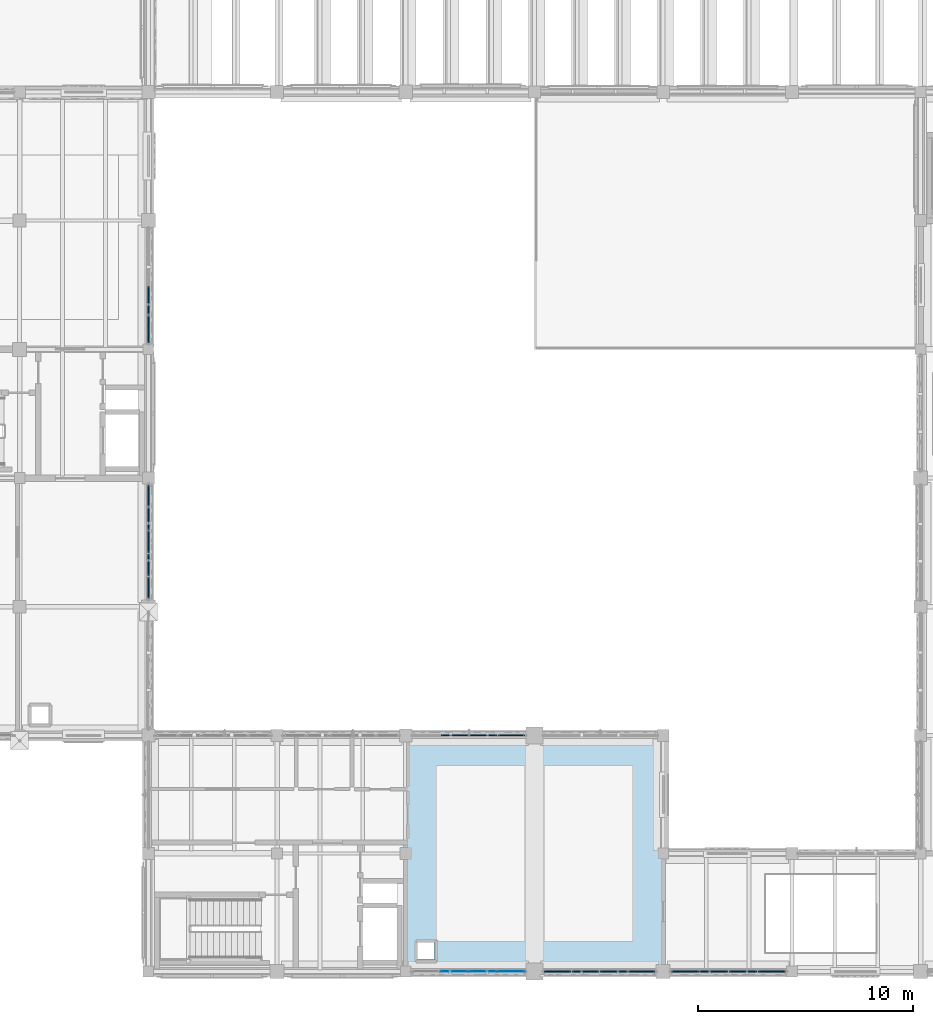
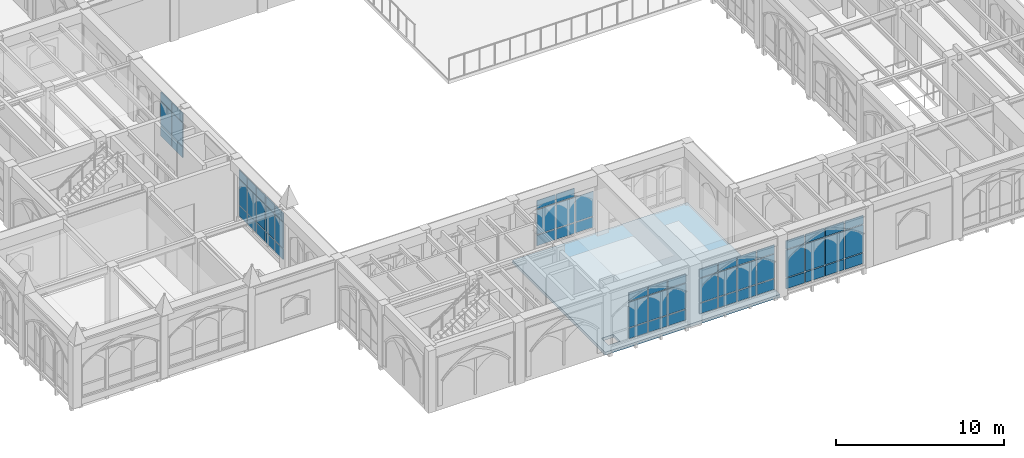
# One storey, part 65 of 127: 62 plates, 1 slab, 6 elements without a shape of their own.
"""IFC4 building model written with IfcOpenShell, lengths in metres."""

from ifc_helpers import new_model, si_unit, direction, frame, origin, origin_2d, place, context, subcontext, project, spatial, polyline, rectangle, outline, extrude, material, layer, layer_set, type_object, element, aggregate, save


model = new_model("IFC4")

# Units and contexts
model_context = context("Model", 3, precision=1e-05, world=origin(), true_north=direction((0.0, 1.0)))
body_context = subcontext(model_context, "Body", "Model", "MODEL_VIEW")
ifc_project = project(units=[si_unit("LENGTHUNIT", "METRE"), si_unit("AREAUNIT", "SQUARE_METRE"), si_unit("VOLUMEUNIT", "CUBIC_METRE"), si_unit("PLANEANGLEUNIT", "RADIAN"), si_unit("MASSUNIT", "GRAM", prefix="KILO")], contexts=[model_context])

# Site, building, storey
site_placement = place(None, origin())
site = spatial("IfcSite", under=ifc_project, at=site_placement, CompositionType="ELEMENT")
building_placement = place(site_placement, origin())
building = spatial("IfcBuilding", under=site, at=building_placement, Name="Cumevento Cable Car Station", CompositionType="ELEMENT")
storey_placement = place(building_placement, frame((0.0, 0.0, 4.5)))
storey = spatial("IfcBuildingStorey", under=building, at=storey_placement, Name="L02", CompositionType="ELEMENT", Elevation=4.5)

# Slab
ifc_material_1 = material(Name="Concrete C40/50", Category="concrete")
ifc_layer_1 = layer(ifc_material_1, 0.2119140625)
ifc_layer_set_1 = layer_set([ifc_layer_1], Name="Concrete C40/50")
slab_type = type_object("IfcSlabType", Name="Concrete Deck FS-212 212", PredefinedType="FLOOR", material=ifc_layer_set_1)
slab_placement = place(storey_placement, frame((0.0, 0.0, -0.2119140625)))
element("IfcSlab", 1, at=slab_placement, inside=storey, type_object=slab_type, Name="Floor Slab FS-212 L02 B_V1a.2", PredefinedType="FLOOR", context=body_context, shape_type="SweptSolid", body=[
    extrude(outline(polyline([(34.0, 4.0), (46.0, 4.0), (46.0, 15.0), (34.0, 15.0), (34.0, 4.0)]), holes=[polyline([(34.550048828125, 4.550048828125), (35.35009765625, 4.550048828125), (35.35009765625, 5.35009765625), (34.550048828125, 5.35009765625), (34.550048828125, 4.550048828125)])]), origin(), (0.0, 0.0, 1.0), 0.2119140625),
])

# Curtain wall, plates
ifc_material_2 = material(Name="Anodised Bronze Aluminium AW-6063-T6", Category="aluminium")
ifc_layer_2 = layer(ifc_material_2, 0.18408203125)
ifc_layer_set_2 = layer_set([ifc_layer_2], Name="Anodised Bronze Aluminium AW-6063-T6")
curtain_wall_type_1 = type_object("IfcCurtainWallType", Name="Lancet Curtain Wall CW-05 1210", PredefinedType="NOTDEFINED", material=ifc_layer_set_2)
curtain_wall_1_placement = place(storey_placement, origin())
curtain_wall_1 = element("IfcCurtainWall", 2, at=curtain_wall_1_placement, inside=storey, type_object=curtain_wall_type_1, Name="Lancet Curtain Wall CW-05 L02 #20", PredefinedType="NOTDEFINED")
ifc_material_3 = material(Name="Solar Control Laminated Double Glazing", Category="glass")
ifc_layer_3 = layer(ifc_material_3, 0.0458984375)
ifc_layer_set_3 = layer_set([ifc_layer_3], Name="Solar Control Laminated Double Glazing")
plate_type_1 = type_object("IfcPlateType", Name="Glazed Panel CWP-07 46", PredefinedType="CURTAIN_PANEL", material=ifc_layer_set_3)
plate_1_placement = place(storey_placement, frame((38.9150390625, 4.0, 0.425048828125), z_axis=(0.0, 0.0, 1.0), x_axis=(-1.0, 0.0, 0.0)))
plate_1 = element("IfcPlate", 3, at=plate_1_placement, type_object=plate_type_1, Name="CW-05 panel 1.1", PredefinedType="CURTAIN_PANEL", context=body_context, shape_type="SweptSolid", body=[
    extrude(rectangle(XDim=1.239990234375, YDim=0.0458984375, at=origin_2d()), origin(), (0.0, 0.0, 1.0), 0.75244140625),
])
plate_2_placement = place(storey_placement, frame((38.9150390625, 4.0, 1.242431640625), z_axis=(0.0, 0.0, 1.0), x_axis=(-1.0, 0.0, 0.0)))
plate_2 = element("IfcPlate", 4, at=plate_2_placement, type_object=plate_type_1, Name="CW-05 panel 1.2", PredefinedType="CURTAIN_PANEL", context=body_context, shape_type="SweptSolid", body=[
    extrude(rectangle(XDim=1.239990234375, YDim=0.0458984375, at=origin_2d()), origin(), (0.0, 0.0, 1.0), 1.833984375),
])
plate_3_placement = place(storey_placement, frame((38.9150390625, 4.0, 3.1416015625), z_axis=(0.0, 0.0, 1.0), x_axis=(-1.0, 0.0, 0.0)))
plate_3 = element("IfcPlate", 5, at=plate_3_placement, type_object=plate_type_1, Name="CW-05 panel 1.3", PredefinedType="CURTAIN_PANEL", context=body_context, shape_type="SweptSolid", body=[
    extrude(rectangle(XDim=1.239990234375, YDim=0.0458984375, at=origin_2d()), origin(), (0.0, 0.0, 1.0), 0.6025390625),
])
plate_4_placement = place(storey_placement, frame((37.59375, 4.0, 0.425048828125), z_axis=(0.0, 0.0, 1.0), x_axis=(-1.0, 0.0, 0.0)))
plate_4 = element("IfcPlate", 6, at=plate_4_placement, type_object=plate_type_1, Name="CW-05 panel 2.1", PredefinedType="CURTAIN_PANEL", context=body_context, shape_type="SweptSolid", body=[
    extrude(rectangle(XDim=1.2724609375, YDim=0.0458984375, at=origin_2d()), origin(), (0.0, 0.0, 1.0), 0.75244140625),
])
plate_5_placement = place(storey_placement, frame((37.59375, 4.0, 1.242431640625), z_axis=(0.0, 0.0, 1.0), x_axis=(-1.0, 0.0, 0.0)))
plate_5 = element("IfcPlate", 7, at=plate_5_placement, type_object=plate_type_1, Name="CW-05 panel 2.2", PredefinedType="CURTAIN_PANEL", context=body_context, shape_type="SweptSolid", body=[
    extrude(rectangle(XDim=1.2724609375, YDim=0.0458984375, at=origin_2d()), origin(), (0.0, 0.0, 1.0), 1.833984375),
])
plate_6_placement = place(storey_placement, frame((37.59375, 4.0, 3.1416015625), z_axis=(0.0, 0.0, 1.0), x_axis=(-1.0, 0.0, 0.0)))
plate_6 = element("IfcPlate", 8, at=plate_6_placement, type_object=plate_type_1, Name="CW-05 panel 2.3", PredefinedType="CURTAIN_PANEL", context=body_context, shape_type="SweptSolid", body=[
    extrude(rectangle(XDim=1.2724609375, YDim=0.0458984375, at=origin_2d()), origin(), (0.0, 0.0, 1.0), 0.6025390625),
])
plate_7_placement = place(storey_placement, frame((36.25634765625, 4.0, 0.425048828125), z_axis=(0.0, 0.0, 1.0), x_axis=(-1.0, 0.0, 0.0)))
plate_7 = element("IfcPlate", 9, at=plate_7_placement, type_object=plate_type_1, Name="CW-05 panel 3.1", PredefinedType="CURTAIN_PANEL", context=body_context, shape_type="SweptSolid", body=[
    extrude(rectangle(XDim=1.2724609375, YDim=0.0458984375, at=origin_2d()), origin(), (0.0, 0.0, 1.0), 0.75244140625),
])
plate_8_placement = place(storey_placement, frame((36.25634765625, 4.0, 1.242431640625), z_axis=(0.0, 0.0, 1.0), x_axis=(-1.0, 0.0, 0.0)))
plate_8 = element("IfcPlate", 10, at=plate_8_placement, type_object=plate_type_1, Name="CW-05 panel 3.2", PredefinedType="CURTAIN_PANEL", context=body_context, shape_type="SweptSolid", body=[
    extrude(rectangle(XDim=1.2724609375, YDim=0.0458984375, at=origin_2d()), origin(), (0.0, 0.0, 1.0), 1.833984375),
])
plate_9_placement = place(storey_placement, frame((36.25634765625, 4.0, 3.1416015625), z_axis=(0.0, 0.0, 1.0), x_axis=(-1.0, 0.0, 0.0)))
plate_9 = element("IfcPlate", 11, at=plate_9_placement, type_object=plate_type_1, Name="CW-05 panel 3.3", PredefinedType="CURTAIN_PANEL", context=body_context, shape_type="SweptSolid", body=[
    extrude(rectangle(XDim=1.2724609375, YDim=0.0458984375, at=origin_2d()), origin(), (0.0, 0.0, 1.0), 0.6025390625),
])
aggregate(curtain_wall_1, [plate_1, plate_2, plate_3, plate_4, plate_5, plate_6, plate_7, plate_8, plate_9])

ifc_material_4 = material(Name="Anodised Bronze Aluminium AW-6063-T6", Category="aluminium")
ifc_layer_4 = layer(ifc_material_4, 0.18994140625)
ifc_layer_set_4 = layer_set([ifc_layer_4], Name="Anodised Bronze Aluminium AW-6063-T6")
curtain_wall_type_2 = type_object("IfcCurtainWallType", Name="Lancet Curtain Wall CW-06 1250", PredefinedType="NOTDEFINED", material=ifc_layer_set_4)
curtain_wall_2_placement = place(storey_placement, origin())
curtain_wall_2 = element("IfcCurtainWall", 12, at=curtain_wall_2_placement, inside=storey, type_object=curtain_wall_type_2, Name="Lancet Curtain Wall CW-06 L02 #21", PredefinedType="NOTDEFINED")
ifc_material_5 = material(Name="Solar Control Laminated Double Glazing", Category="glass")
ifc_layer_5 = layer(ifc_material_5, 0.050048828125)
ifc_layer_set_5 = layer_set([ifc_layer_5], Name="Solar Control Laminated Double Glazing")
plate_type_2 = type_object("IfcPlateType", Name="Glazed Panel CWP-08 50", PredefinedType="CURTAIN_PANEL", material=ifc_layer_set_5)
plate_10_placement = place(storey_placement, frame((36.28759765625, 15.0, 0.47509765625), z_axis=(0.0, 0.0, 1.0), x_axis=(1.0, 0.0, 0.0)))
plate_10 = element("IfcPlate", 13, at=plate_10_placement, type_object=plate_type_2, Name="CW-06 panel 2.1", PredefinedType="CURTAIN_PANEL", context=body_context, shape_type="SweptSolid", body=[
    extrude(rectangle(XDim=1.260009765625, YDim=0.050048828125, at=origin_2d()), origin(), (0.0, 0.0, 1.0), 0.75244140625),
])
plate_11_placement = place(storey_placement, frame((36.28759765625, 15.0, 1.29248046875), z_axis=(0.0, 0.0, 1.0), x_axis=(1.0, 0.0, 0.0)))
plate_11 = element("IfcPlate", 14, at=plate_11_placement, type_object=plate_type_2, Name="CW-06 panel 2.2", PredefinedType="CURTAIN_PANEL", context=body_context, shape_type="SweptSolid", body=[
    extrude(rectangle(XDim=1.260009765625, YDim=0.050048828125, at=origin_2d()), origin(), (0.0, 0.0, 1.0), 1.783935546875),
])
plate_12_placement = place(storey_placement, frame((36.28759765625, 15.0, 3.1416015625), z_axis=(0.0, 0.0, 1.0), x_axis=(1.0, 0.0, 0.0)))
plate_12 = element("IfcPlate", 15, at=plate_12_placement, type_object=plate_type_2, Name="CW-06 panel 2.3", PredefinedType="CURTAIN_PANEL", context=body_context, shape_type="SweptSolid", body=[
    extrude(rectangle(XDim=1.260009765625, YDim=0.050048828125, at=origin_2d()), origin(), (0.0, 0.0, 1.0), 0.6025390625),
])
plate_13_placement = place(storey_placement, frame((37.612548828125, 15.0, 0.47509765625), z_axis=(0.0, 0.0, 1.0), x_axis=(1.0, 0.0, 0.0)))
plate_13 = element("IfcPlate", 16, at=plate_13_placement, type_object=plate_type_2, Name="CW-06 panel 3.1", PredefinedType="CURTAIN_PANEL", context=body_context, shape_type="SweptSolid", body=[
    extrude(rectangle(XDim=1.260009765625, YDim=0.050048828125, at=origin_2d()), origin(), (0.0, 0.0, 1.0), 0.75244140625),
])
plate_14_placement = place(storey_placement, frame((37.612548828125, 15.0, 1.29248046875), z_axis=(0.0, 0.0, 1.0), x_axis=(1.0, 0.0, 0.0)))
plate_14 = element("IfcPlate", 17, at=plate_14_placement, type_object=plate_type_2, Name="CW-06 panel 3.2", PredefinedType="CURTAIN_PANEL", context=body_context, shape_type="SweptSolid", body=[
    extrude(rectangle(XDim=1.260009765625, YDim=0.050048828125, at=origin_2d()), origin(), (0.0, 0.0, 1.0), 1.783935546875),
])
plate_15_placement = place(storey_placement, frame((37.612548828125, 15.0, 3.1416015625), z_axis=(0.0, 0.0, 1.0), x_axis=(1.0, 0.0, 0.0)))
plate_15 = element("IfcPlate", 18, at=plate_15_placement, type_object=plate_type_2, Name="CW-06 panel 3.3", PredefinedType="CURTAIN_PANEL", context=body_context, shape_type="SweptSolid", body=[
    extrude(rectangle(XDim=1.260009765625, YDim=0.050048828125, at=origin_2d()), origin(), (0.0, 0.0, 1.0), 0.6025390625),
])
plate_16_placement = place(storey_placement, frame((38.921142578125, 15.0, 0.47509765625), z_axis=(0.0, 0.0, 1.0), x_axis=(1.0, 0.0, 0.0)))
plate_16 = element("IfcPlate", 19, at=plate_16_placement, type_object=plate_type_2, Name="CW-06 panel 4.1", PredefinedType="CURTAIN_PANEL", context=body_context, shape_type="SweptSolid", body=[
    extrude(rectangle(XDim=1.2275390625, YDim=0.050048828125, at=origin_2d()), origin(), (0.0, 0.0, 1.0), 0.75244140625),
])
plate_17_placement = place(storey_placement, frame((38.921142578125, 15.0, 1.29248046875), z_axis=(0.0, 0.0, 1.0), x_axis=(1.0, 0.0, 0.0)))
plate_17 = element("IfcPlate", 20, at=plate_17_placement, type_object=plate_type_2, Name="CW-06 panel 4.2", PredefinedType="CURTAIN_PANEL", context=body_context, shape_type="SweptSolid", body=[
    extrude(rectangle(XDim=1.2275390625, YDim=0.050048828125, at=origin_2d()), origin(), (0.0, 0.0, 1.0), 1.783935546875),
])
aggregate(curtain_wall_2, [plate_10, plate_11, plate_12, plate_13, plate_14, plate_15, plate_16, plate_17])

ifc_material_6 = material(Name="Anodised Bronze Aluminium AW-6063-T6", Category="aluminium")
ifc_layer_6 = layer(ifc_material_6, 0.196044921875)
ifc_layer_set_6 = layer_set([ifc_layer_6], Name="Anodised Bronze Aluminium AW-6063-T6")
curtain_wall_type_3 = type_object("IfcCurtainWallType", Name="Lancet Curtain Wall CW-07 1290", PredefinedType="NOTDEFINED", material=ifc_layer_set_6)
curtain_wall_3_placement = place(storey_placement, origin())
curtain_wall_3 = element("IfcCurtainWall", 21, at=curtain_wall_3_placement, inside=storey, type_object=curtain_wall_type_3, Name="Lancet Curtain Wall CW-07 L02 #22", PredefinedType="NOTDEFINED")
ifc_material_7 = material(Name="Insulated Bronze Aluminium Spandrel Panel", Category="aluminium")
ifc_layer_7 = layer(ifc_material_7, 0.054931640625)
ifc_layer_set_7 = layer_set([ifc_layer_7], Name="Insulated Bronze Aluminium Spandrel Panel")
plate_type_3 = type_object("IfcPlateType", Name="Spandrel Panel CWP-09 55", PredefinedType="CURTAIN_PANEL", material=ifc_layer_set_7)
plate_18_placement = place(storey_placement, frame((44.999267578125, 4.0, 0.525146484375), z_axis=(0.0, 0.0, 1.0), x_axis=(-1.0, 0.0, 0.0)))
plate_18 = element("IfcPlate", 22, at=plate_18_placement, type_object=plate_type_3, Name="CW-07 panel 1.1", PredefinedType="CURTAIN_PANEL", context=body_context, shape_type="SweptSolid", body=[
    extrude(rectangle(XDim=1.22119140625, YDim=0.054931640625, at=origin_2d()), origin(), (0.0, 0.0, 1.0), 0.75244140625),
])
plate_19_placement = place(storey_placement, frame((44.999267578125, 4.0, 1.342529296875), z_axis=(0.0, 0.0, 1.0), x_axis=(-1.0, 0.0, 0.0)))
plate_19 = element("IfcPlate", 23, at=plate_19_placement, type_object=plate_type_3, Name="CW-07 panel 1.2", PredefinedType="CURTAIN_PANEL", context=body_context, shape_type="SweptSolid", body=[
    extrude(rectangle(XDim=1.22119140625, YDim=0.054931640625, at=origin_2d()), origin(), (0.0, 0.0, 1.0), 1.73388671875),
])
plate_20_placement = place(storey_placement, frame((44.999267578125, 4.0, 3.1416015625), z_axis=(0.0, 0.0, 1.0), x_axis=(-1.0, 0.0, 0.0)))
plate_20 = element("IfcPlate", 24, at=plate_20_placement, type_object=plate_type_3, Name="CW-07 panel 1.3", PredefinedType="CURTAIN_PANEL", context=body_context, shape_type="SweptSolid", body=[
    extrude(rectangle(XDim=1.22119140625, YDim=0.054931640625, at=origin_2d()), origin(), (0.0, 0.0, 1.0), 0.6025390625),
])
plate_21_placement = place(storey_placement, frame((43.69677734375, 4.0, 0.525146484375), z_axis=(0.0, 0.0, 1.0), x_axis=(-1.0, 0.0, 0.0)))
plate_21 = element("IfcPlate", 25, at=plate_21_placement, type_object=plate_type_3, Name="CW-07 panel 2.1", PredefinedType="CURTAIN_PANEL", context=body_context, shape_type="SweptSolid", body=[
    extrude(rectangle(XDim=1.253662109375, YDim=0.054931640625, at=origin_2d()), origin(), (0.0, 0.0, 1.0), 0.75244140625),
])
plate_22_placement = place(storey_placement, frame((43.69677734375, 4.0, 1.342529296875), z_axis=(0.0, 0.0, 1.0), x_axis=(-1.0, 0.0, 0.0)))
plate_22 = element("IfcPlate", 26, at=plate_22_placement, type_object=plate_type_3, Name="CW-07 panel 2.2", PredefinedType="CURTAIN_PANEL", context=body_context, shape_type="SweptSolid", body=[
    extrude(rectangle(XDim=1.253662109375, YDim=0.054931640625, at=origin_2d()), origin(), (0.0, 0.0, 1.0), 1.73388671875),
])
plate_23_placement = place(storey_placement, frame((43.69677734375, 4.0, 3.1416015625), z_axis=(0.0, 0.0, 1.0), x_axis=(-1.0, 0.0, 0.0)))
plate_23 = element("IfcPlate", 27, at=plate_23_placement, type_object=plate_type_3, Name="CW-07 panel 2.3", PredefinedType="CURTAIN_PANEL", context=body_context, shape_type="SweptSolid", body=[
    extrude(rectangle(XDim=1.253662109375, YDim=0.054931640625, at=origin_2d()), origin(), (0.0, 0.0, 1.0), 0.6025390625),
])
plate_24_placement = place(storey_placement, frame((42.378173828125, 4.0, 0.525146484375), z_axis=(0.0, 0.0, 1.0), x_axis=(-1.0, 0.0, 0.0)))
plate_24 = element("IfcPlate", 28, at=plate_24_placement, type_object=plate_type_3, Name="CW-07 panel 3.1", PredefinedType="CURTAIN_PANEL", context=body_context, shape_type="SweptSolid", body=[
    extrude(rectangle(XDim=1.253662109375, YDim=0.054931640625, at=origin_2d()), origin(), (0.0, 0.0, 1.0), 0.75244140625),
])
plate_25_placement = place(storey_placement, frame((42.378173828125, 4.0, 1.342529296875), z_axis=(0.0, 0.0, 1.0), x_axis=(-1.0, 0.0, 0.0)))
plate_25 = element("IfcPlate", 29, at=plate_25_placement, type_object=plate_type_3, Name="CW-07 panel 3.2", PredefinedType="CURTAIN_PANEL", context=body_context, shape_type="SweptSolid", body=[
    extrude(rectangle(XDim=1.253662109375, YDim=0.054931640625, at=origin_2d()), origin(), (0.0, 0.0, 1.0), 1.73388671875),
])
plate_26_placement = place(storey_placement, frame((42.378173828125, 4.0, 3.1416015625), z_axis=(0.0, 0.0, 1.0), x_axis=(-1.0, 0.0, 0.0)))
plate_26 = element("IfcPlate", 30, at=plate_26_placement, type_object=plate_type_3, Name="CW-07 panel 3.3", PredefinedType="CURTAIN_PANEL", context=body_context, shape_type="SweptSolid", body=[
    extrude(rectangle(XDim=1.253662109375, YDim=0.054931640625, at=origin_2d()), origin(), (0.0, 0.0, 1.0), 0.6025390625),
])
plate_27_placement = place(storey_placement, frame((41.07568359375, 4.0, 0.525146484375), z_axis=(0.0, 0.0, 1.0), x_axis=(-1.0, 0.0, 0.0)))
plate_27 = element("IfcPlate", 31, at=plate_27_placement, type_object=plate_type_3, Name="CW-07 panel 4.1", PredefinedType="CURTAIN_PANEL", context=body_context, shape_type="SweptSolid", body=[
    extrude(rectangle(XDim=1.22119140625, YDim=0.054931640625, at=origin_2d()), origin(), (0.0, 0.0, 1.0), 0.75244140625),
])
plate_28_placement = place(storey_placement, frame((41.07568359375, 4.0, 1.342529296875), z_axis=(0.0, 0.0, 1.0), x_axis=(-1.0, 0.0, 0.0)))
plate_28 = element("IfcPlate", 32, at=plate_28_placement, type_object=plate_type_3, Name="CW-07 panel 4.2", PredefinedType="CURTAIN_PANEL", context=body_context, shape_type="SweptSolid", body=[
    extrude(rectangle(XDim=1.22119140625, YDim=0.054931640625, at=origin_2d()), origin(), (0.0, 0.0, 1.0), 1.73388671875),
])
plate_29_placement = place(storey_placement, frame((41.07568359375, 4.0, 3.1416015625), z_axis=(0.0, 0.0, 1.0), x_axis=(-1.0, 0.0, 0.0)))
plate_29 = element("IfcPlate", 33, at=plate_29_placement, type_object=plate_type_3, Name="CW-07 panel 4.3", PredefinedType="CURTAIN_PANEL", context=body_context, shape_type="SweptSolid", body=[
    extrude(rectangle(XDim=1.22119140625, YDim=0.054931640625, at=origin_2d()), origin(), (0.0, 0.0, 1.0), 0.6025390625),
])
aggregate(curtain_wall_3, [plate_18, plate_19, plate_20, plate_21, plate_22, plate_23, plate_24, plate_25, plate_26, plate_27, plate_28, plate_29])

ifc_material_8 = material(Name="Anodised Bronze Aluminium AW-6063-T6", Category="aluminium")
ifc_layer_8 = layer(ifc_material_8, 0.177978515625)
ifc_layer_set_8 = layer_set([ifc_layer_8], Name="Anodised Bronze Aluminium AW-6063-T6")
curtain_wall_type_4 = type_object("IfcCurtainWallType", Name="Lancet Curtain Wall CW-04 1170", PredefinedType="NOTDEFINED", material=ifc_layer_set_8)
curtain_wall_4_placement = place(storey_placement, origin())
curtain_wall_4 = element("IfcCurtainWall", 34, at=curtain_wall_4_placement, inside=storey, type_object=curtain_wall_type_4, Name="Lancet Curtain Wall CW-04 L02 #51", PredefinedType="NOTDEFINED")
ifc_material_9 = material(Name="Insulated Bronze Aluminium Spandrel Panel", Category="aluminium")
ifc_layer_9 = layer(ifc_material_9, 0.06005859375)
ifc_layer_set_9 = layer_set([ifc_layer_9], Name="Insulated Bronze Aluminium Spandrel Panel")
plate_type_4 = type_object("IfcPlateType", Name="Spandrel Panel CWP-10 60", PredefinedType="CURTAIN_PANEL", material=ifc_layer_set_9)
plate_30_placement = place(storey_placement, frame((22.0, 26.168701171875, 0.375), z_axis=(0.0, 0.0, 1.0), x_axis=(0.0, -1.0, 0.0)))
plate_30 = element("IfcPlate", 35, at=plate_30_placement, type_object=plate_type_4, Name="CW-04 panel 1.1", PredefinedType="CURTAIN_PANEL", context=body_context, shape_type="SweptSolid", body=[
    extrude(rectangle(XDim=0.982421875, YDim=0.06005859375, at=origin_2d()), origin(), (0.0, 0.0, 1.0), 0.75244140625),
])
plate_31_placement = place(storey_placement, frame((22.0, 26.168701171875, 1.1923828125), z_axis=(0.0, 0.0, 1.0), x_axis=(0.0, -1.0, 0.0)))
plate_31 = element("IfcPlate", 36, at=plate_31_placement, type_object=plate_type_4, Name="CW-04 panel 1.2", PredefinedType="CURTAIN_PANEL", context=body_context, shape_type="SweptSolid", body=[
    extrude(rectangle(XDim=0.982421875, YDim=0.06005859375, at=origin_2d()), origin(), (0.0, 0.0, 1.0), 1.85302734375),
])
plate_32_placement = place(storey_placement, frame((22.0, 26.168701171875, 3.110595703125), z_axis=(0.0, 0.0, 1.0), x_axis=(0.0, -1.0, 0.0)))
plate_32 = element("IfcPlate", 37, at=plate_32_placement, type_object=plate_type_4, Name="CW-04 panel 1.3", PredefinedType="CURTAIN_PANEL", context=body_context, shape_type="SweptSolid", body=[
    extrude(rectangle(XDim=0.982421875, YDim=0.06005859375, at=origin_2d()), origin(), (0.0, 0.0, 1.0), 0.6025390625),
])
plate_33_placement = place(storey_placement, frame((22.0, 25.10498046875, 0.375), z_axis=(0.0, 0.0, 1.0), x_axis=(0.0, -1.0, 0.0)))
plate_33 = element("IfcPlate", 38, at=plate_33_placement, type_object=plate_type_4, Name="CW-04 panel 2.1", PredefinedType="CURTAIN_PANEL", context=body_context, shape_type="SweptSolid", body=[
    extrude(rectangle(XDim=1.014892578125, YDim=0.06005859375, at=origin_2d()), origin(), (0.0, 0.0, 1.0), 0.75244140625),
])
plate_34_placement = place(storey_placement, frame((22.0, 25.10498046875, 1.1923828125), z_axis=(0.0, 0.0, 1.0), x_axis=(0.0, -1.0, 0.0)))
plate_34 = element("IfcPlate", 39, at=plate_34_placement, type_object=plate_type_4, Name="CW-04 panel 2.2", PredefinedType="CURTAIN_PANEL", context=body_context, shape_type="SweptSolid", body=[
    extrude(rectangle(XDim=1.014892578125, YDim=0.06005859375, at=origin_2d()), origin(), (0.0, 0.0, 1.0), 1.85302734375),
])
plate_35_placement = place(storey_placement, frame((22.0, 25.10498046875, 3.110595703125), z_axis=(0.0, 0.0, 1.0), x_axis=(0.0, -1.0, 0.0)))
plate_35 = element("IfcPlate", 40, at=plate_35_placement, type_object=plate_type_4, Name="CW-04 panel 2.3", PredefinedType="CURTAIN_PANEL", context=body_context, shape_type="SweptSolid", body=[
    extrude(rectangle(XDim=1.014892578125, YDim=0.06005859375, at=origin_2d()), origin(), (0.0, 0.0, 1.0), 0.6025390625),
])
plate_36_placement = place(storey_placement, frame((22.0, 24.02490234375, 0.375), z_axis=(0.0, 0.0, 1.0), x_axis=(0.0, -1.0, 0.0)))
plate_36 = element("IfcPlate", 41, at=plate_36_placement, type_object=plate_type_4, Name="CW-04 panel 3.1", PredefinedType="CURTAIN_PANEL", context=body_context, shape_type="SweptSolid", body=[
    extrude(rectangle(XDim=1.014892578125, YDim=0.06005859375, at=origin_2d()), origin(), (0.0, 0.0, 1.0), 0.75244140625),
])
plate_37_placement = place(storey_placement, frame((22.0, 24.02490234375, 1.1923828125), z_axis=(0.0, 0.0, 1.0), x_axis=(0.0, -1.0, 0.0)))
plate_37 = element("IfcPlate", 42, at=plate_37_placement, type_object=plate_type_4, Name="CW-04 panel 3.2", PredefinedType="CURTAIN_PANEL", context=body_context, shape_type="SweptSolid", body=[
    extrude(rectangle(XDim=1.014892578125, YDim=0.06005859375, at=origin_2d()), origin(), (0.0, 0.0, 1.0), 1.85302734375),
])
plate_38_placement = place(storey_placement, frame((22.0, 24.02490234375, 3.110595703125), z_axis=(0.0, 0.0, 1.0), x_axis=(0.0, -1.0, 0.0)))
plate_38 = element("IfcPlate", 43, at=plate_38_placement, type_object=plate_type_4, Name="CW-04 panel 3.3", PredefinedType="CURTAIN_PANEL", context=body_context, shape_type="SweptSolid", body=[
    extrude(rectangle(XDim=1.014892578125, YDim=0.06005859375, at=origin_2d()), origin(), (0.0, 0.0, 1.0), 0.6025390625),
])
plate_39_placement = place(storey_placement, frame((22.0, 22.945068359375, 0.375), z_axis=(0.0, 0.0, 1.0), x_axis=(0.0, -1.0, 0.0)))
plate_39 = element("IfcPlate", 44, at=plate_39_placement, type_object=plate_type_4, Name="CW-04 panel 4.1", PredefinedType="CURTAIN_PANEL", context=body_context, shape_type="SweptSolid", body=[
    extrude(rectangle(XDim=1.014892578125, YDim=0.06005859375, at=origin_2d()), origin(), (0.0, 0.0, 1.0), 0.75244140625),
])
plate_40_placement = place(storey_placement, frame((22.0, 22.945068359375, 1.1923828125), z_axis=(0.0, 0.0, 1.0), x_axis=(0.0, -1.0, 0.0)))
plate_40 = element("IfcPlate", 45, at=plate_40_placement, type_object=plate_type_4, Name="CW-04 panel 4.2", PredefinedType="CURTAIN_PANEL", context=body_context, shape_type="SweptSolid", body=[
    extrude(rectangle(XDim=1.014892578125, YDim=0.06005859375, at=origin_2d()), origin(), (0.0, 0.0, 1.0), 1.85302734375),
])
plate_41_placement = place(storey_placement, frame((22.0, 22.945068359375, 3.110595703125), z_axis=(0.0, 0.0, 1.0), x_axis=(0.0, -1.0, 0.0)))
plate_41 = element("IfcPlate", 46, at=plate_41_placement, type_object=plate_type_4, Name="CW-04 panel 4.3", PredefinedType="CURTAIN_PANEL", context=body_context, shape_type="SweptSolid", body=[
    extrude(rectangle(XDim=1.014892578125, YDim=0.06005859375, at=origin_2d()), origin(), (0.0, 0.0, 1.0), 0.6025390625),
])
plate_42_placement = place(storey_placement, frame((22.0, 21.88134765625, 0.375), z_axis=(0.0, 0.0, 1.0), x_axis=(0.0, -1.0, 0.0)))
plate_42 = element("IfcPlate", 47, at=plate_42_placement, type_object=plate_type_4, Name="CW-04 panel 5.1", PredefinedType="CURTAIN_PANEL", context=body_context, shape_type="SweptSolid", body=[
    extrude(rectangle(XDim=0.982421875, YDim=0.06005859375, at=origin_2d()), origin(), (0.0, 0.0, 1.0), 0.75244140625),
])
plate_43_placement = place(storey_placement, frame((22.0, 21.88134765625, 1.1923828125), z_axis=(0.0, 0.0, 1.0), x_axis=(0.0, -1.0, 0.0)))
plate_43 = element("IfcPlate", 48, at=plate_43_placement, type_object=plate_type_4, Name="CW-04 panel 5.2", PredefinedType="CURTAIN_PANEL", context=body_context, shape_type="SweptSolid", body=[
    extrude(rectangle(XDim=0.982421875, YDim=0.06005859375, at=origin_2d()), origin(), (0.0, 0.0, 1.0), 1.85302734375),
])
plate_44_placement = place(storey_placement, frame((22.0, 21.88134765625, 3.110595703125), z_axis=(0.0, 0.0, 1.0), x_axis=(0.0, -1.0, 0.0)))
plate_44 = element("IfcPlate", 49, at=plate_44_placement, type_object=plate_type_4, Name="CW-04 panel 5.3", PredefinedType="CURTAIN_PANEL", context=body_context, shape_type="SweptSolid", body=[
    extrude(rectangle(XDim=0.982421875, YDim=0.06005859375, at=origin_2d()), origin(), (0.0, 0.0, 1.0), 0.6025390625),
])
aggregate(curtain_wall_4, [plate_30, plate_31, plate_32, plate_33, plate_34, plate_35, plate_36, plate_37, plate_38, plate_39, plate_40, plate_41, plate_42, plate_43, plate_44])

ifc_material_10 = material(Name="Anodised Bronze Aluminium AW-6063-T6", Category="aluminium")
ifc_layer_10 = layer(ifc_material_10, 0.214111328125)
ifc_layer_set_10 = layer_set([ifc_layer_10], Name="Anodised Bronze Aluminium AW-6063-T6")
curtain_wall_type_5 = type_object("IfcCurtainWallType", Name="Lancet Curtain Wall CW-10 1410", PredefinedType="NOTDEFINED", material=ifc_layer_set_10)
curtain_wall_5_placement = place(storey_placement, origin())
curtain_wall_5 = element("IfcCurtainWall", 50, at=curtain_wall_5_placement, inside=storey, type_object=curtain_wall_type_5, Name="Lancet Curtain Wall CW-10 L02 #25", PredefinedType="NOTDEFINED")
ifc_material_11 = material(Name="Insulated Bronze Aluminium Spandrel Panel", Category="aluminium")
ifc_layer_11 = layer(ifc_material_11, 0.072021484375)
ifc_layer_set_11 = layer_set([ifc_layer_11], Name="Insulated Bronze Aluminium Spandrel Panel")
plate_type_5 = type_object("IfcPlateType", Name="Spandrel Panel CWP-12 72", PredefinedType="CURTAIN_PANEL", material=ifc_layer_set_11)
plate_45_placement = place(storey_placement, frame((51.0556640625, 4.0, 0.275146484375), z_axis=(0.0, 0.0, 1.0), x_axis=(-1.0, 0.0, 0.0)))
plate_45 = element("IfcPlate", 51, at=plate_45_placement, type_object=plate_type_5, Name="CW-10 panel 1.1", PredefinedType="CURTAIN_PANEL", context=body_context, shape_type="SweptSolid", body=[
    extrude(rectangle(XDim=1.2587890625, YDim=0.072021484375, at=origin_2d()), origin(), (0.0, 0.0, 1.0), 0.75244140625),
])
plate_46_placement = place(storey_placement, frame((51.0556640625, 4.0, 1.092529296875), z_axis=(0.0, 0.0, 1.0), x_axis=(-1.0, 0.0, 0.0)))
plate_46 = element("IfcPlate", 52, at=plate_46_placement, type_object=plate_type_5, Name="CW-10 panel 1.2", PredefinedType="CURTAIN_PANEL", context=body_context, shape_type="SweptSolid", body=[
    extrude(rectangle(XDim=1.2587890625, YDim=0.072021484375, at=origin_2d()), origin(), (0.0, 0.0, 1.0), 1.98388671875),
])
plate_47_placement = place(storey_placement, frame((51.0556640625, 4.0, 3.1416015625), z_axis=(0.0, 0.0, 1.0), x_axis=(-1.0, 0.0, 0.0)))
plate_47 = element("IfcPlate", 53, at=plate_47_placement, type_object=plate_type_5, Name="CW-10 panel 1.3", PredefinedType="CURTAIN_PANEL", context=body_context, shape_type="SweptSolid", body=[
    extrude(rectangle(XDim=1.2587890625, YDim=0.072021484375, at=origin_2d()), origin(), (0.0, 0.0, 1.0), 0.6025390625),
])
plate_48_placement = place(storey_placement, frame((49.715576171875, 4.0, 0.275146484375), z_axis=(0.0, 0.0, 1.0), x_axis=(-1.0, 0.0, 0.0)))
plate_48 = element("IfcPlate", 54, at=plate_48_placement, type_object=plate_type_5, Name="CW-10 panel 2.1", PredefinedType="CURTAIN_PANEL", context=body_context, shape_type="SweptSolid", body=[
    extrude(rectangle(XDim=1.291259765625, YDim=0.072021484375, at=origin_2d()), origin(), (0.0, 0.0, 1.0), 0.75244140625),
])
plate_49_placement = place(storey_placement, frame((49.715576171875, 4.0, 1.092529296875), z_axis=(0.0, 0.0, 1.0), x_axis=(-1.0, 0.0, 0.0)))
plate_49 = element("IfcPlate", 55, at=plate_49_placement, type_object=plate_type_5, Name="CW-10 panel 2.2", PredefinedType="CURTAIN_PANEL", context=body_context, shape_type="SweptSolid", body=[
    extrude(rectangle(XDim=1.291259765625, YDim=0.072021484375, at=origin_2d()), origin(), (0.0, 0.0, 1.0), 1.98388671875),
])
plate_50_placement = place(storey_placement, frame((49.715576171875, 4.0, 3.1416015625), z_axis=(0.0, 0.0, 1.0), x_axis=(-1.0, 0.0, 0.0)))
plate_50 = element("IfcPlate", 56, at=plate_50_placement, type_object=plate_type_5, Name="CW-10 panel 2.3", PredefinedType="CURTAIN_PANEL", context=body_context, shape_type="SweptSolid", body=[
    extrude(rectangle(XDim=1.291259765625, YDim=0.072021484375, at=origin_2d()), origin(), (0.0, 0.0, 1.0), 0.6025390625),
])
plate_51_placement = place(storey_placement, frame((48.359375, 4.0, 0.275146484375), z_axis=(0.0, 0.0, 1.0), x_axis=(-1.0, 0.0, 0.0)))
plate_51 = element("IfcPlate", 57, at=plate_51_placement, type_object=plate_type_5, Name="CW-10 panel 3.1", PredefinedType="CURTAIN_PANEL", context=body_context, shape_type="SweptSolid", body=[
    extrude(rectangle(XDim=1.291259765625, YDim=0.072021484375, at=origin_2d()), origin(), (0.0, 0.0, 1.0), 0.75244140625),
])
plate_52_placement = place(storey_placement, frame((48.359375, 4.0, 1.092529296875), z_axis=(0.0, 0.0, 1.0), x_axis=(-1.0, 0.0, 0.0)))
plate_52 = element("IfcPlate", 58, at=plate_52_placement, type_object=plate_type_5, Name="CW-10 panel 3.2", PredefinedType="CURTAIN_PANEL", context=body_context, shape_type="SweptSolid", body=[
    extrude(rectangle(XDim=1.291259765625, YDim=0.072021484375, at=origin_2d()), origin(), (0.0, 0.0, 1.0), 1.98388671875),
])
plate_53_placement = place(storey_placement, frame((48.359375, 4.0, 3.1416015625), z_axis=(0.0, 0.0, 1.0), x_axis=(-1.0, 0.0, 0.0)))
plate_53 = element("IfcPlate", 59, at=plate_53_placement, type_object=plate_type_5, Name="CW-10 panel 3.3", PredefinedType="CURTAIN_PANEL", context=body_context, shape_type="SweptSolid", body=[
    extrude(rectangle(XDim=1.291259765625, YDim=0.072021484375, at=origin_2d()), origin(), (0.0, 0.0, 1.0), 0.6025390625),
])
plate_54_placement = place(storey_placement, frame((47.019287109375, 4.0, 0.275146484375), z_axis=(0.0, 0.0, 1.0), x_axis=(-1.0, 0.0, 0.0)))
plate_54 = element("IfcPlate", 60, at=plate_54_placement, type_object=plate_type_5, Name="CW-10 panel 4.1", PredefinedType="CURTAIN_PANEL", context=body_context, shape_type="SweptSolid", body=[
    extrude(rectangle(XDim=1.2587890625, YDim=0.072021484375, at=origin_2d()), origin(), (0.0, 0.0, 1.0), 0.75244140625),
])
plate_55_placement = place(storey_placement, frame((47.019287109375, 4.0, 1.092529296875), z_axis=(0.0, 0.0, 1.0), x_axis=(-1.0, 0.0, 0.0)))
plate_55 = element("IfcPlate", 61, at=plate_55_placement, type_object=plate_type_5, Name="CW-10 panel 4.2", PredefinedType="CURTAIN_PANEL", context=body_context, shape_type="SweptSolid", body=[
    extrude(rectangle(XDim=1.2587890625, YDim=0.072021484375, at=origin_2d()), origin(), (0.0, 0.0, 1.0), 1.98388671875),
])
plate_56_placement = place(storey_placement, frame((47.019287109375, 4.0, 3.1416015625), z_axis=(0.0, 0.0, 1.0), x_axis=(-1.0, 0.0, 0.0)))
plate_56 = element("IfcPlate", 62, at=plate_56_placement, type_object=plate_type_5, Name="CW-10 panel 4.3", PredefinedType="CURTAIN_PANEL", context=body_context, shape_type="SweptSolid", body=[
    extrude(rectangle(XDim=1.2587890625, YDim=0.072021484375, at=origin_2d()), origin(), (0.0, 0.0, 1.0), 0.6025390625),
])
aggregate(curtain_wall_5, [plate_45, plate_46, plate_47, plate_48, plate_49, plate_50, plate_51, plate_52, plate_53, plate_54, plate_55, plate_56])

curtain_wall_6_placement = place(storey_placement, origin())
curtain_wall_6 = element("IfcCurtainWall", 63, at=curtain_wall_6_placement, inside=storey, type_object=curtain_wall_type_3, Name="Lancet Curtain Wall CW-07 L02 #54", PredefinedType="NOTDEFINED")
ifc_material_12 = material(Name="Insulated Bronze Aluminium Spandrel Panel", Category="aluminium")
ifc_layer_12 = layer(ifc_material_12, 0.077880859375)
ifc_layer_set_12 = layer_set([ifc_layer_12], Name="Insulated Bronze Aluminium Spandrel Panel")
plate_type_6 = type_object("IfcPlateType", Name="Spandrel Panel CWP-13 78", PredefinedType="CURTAIN_PANEL", material=ifc_layer_set_12)
plate_57_placement = place(storey_placement, frame((22.0, 35.284423828125, 0.525146484375), z_axis=(0.0, 0.0, 1.0), x_axis=(0.0, -1.0, 0.0)))
plate_57 = element("IfcPlate", 64, at=plate_57_placement, type_object=plate_type_6, Name="CW-07 panel 3.1", PredefinedType="CURTAIN_PANEL", context=body_context, shape_type="SweptSolid", body=[
    extrude(rectangle(XDim=1.291259765625, YDim=0.077880859375, at=origin_2d()), origin(), (0.0, 0.0, 1.0), 0.75244140625),
])
plate_58_placement = place(storey_placement, frame((22.0, 35.284423828125, 1.3427734375), z_axis=(0.0, 0.0, 1.0), x_axis=(0.0, -1.0, 0.0)))
plate_58 = element("IfcPlate", 65, at=plate_58_placement, type_object=plate_type_6, Name="CW-07 panel 3.2", PredefinedType="CURTAIN_PANEL", context=body_context, shape_type="SweptSolid", body=[
    extrude(rectangle(XDim=1.291259765625, YDim=0.077880859375, at=origin_2d()), origin(), (0.0, 0.0, 1.0), 1.702880859375),
])
plate_59_placement = place(storey_placement, frame((22.0, 35.284423828125, 3.110595703125), z_axis=(0.0, 0.0, 1.0), x_axis=(0.0, -1.0, 0.0)))
plate_59 = element("IfcPlate", 66, at=plate_59_placement, type_object=plate_type_6, Name="CW-07 panel 3.3", PredefinedType="CURTAIN_PANEL", context=body_context, shape_type="SweptSolid", body=[
    extrude(rectangle(XDim=1.291259765625, YDim=0.077880859375, at=origin_2d()), origin(), (0.0, 0.0, 1.0), 0.6025390625),
])
plate_60_placement = place(storey_placement, frame((22.0, 33.9443359375, 0.525146484375), z_axis=(0.0, 0.0, 1.0), x_axis=(0.0, -1.0, 0.0)))
plate_60 = element("IfcPlate", 67, at=plate_60_placement, type_object=plate_type_6, Name="CW-07 panel 4.1", PredefinedType="CURTAIN_PANEL", context=body_context, shape_type="SweptSolid", body=[
    extrude(rectangle(XDim=1.2587890625, YDim=0.077880859375, at=origin_2d()), origin(), (0.0, 0.0, 1.0), 0.75244140625),
])
plate_61_placement = place(storey_placement, frame((22.0, 33.9443359375, 1.3427734375), z_axis=(0.0, 0.0, 1.0), x_axis=(0.0, -1.0, 0.0)))
plate_61 = element("IfcPlate", 68, at=plate_61_placement, type_object=plate_type_6, Name="CW-07 panel 4.2", PredefinedType="CURTAIN_PANEL", context=body_context, shape_type="SweptSolid", body=[
    extrude(rectangle(XDim=1.2587890625, YDim=0.077880859375, at=origin_2d()), origin(), (0.0, 0.0, 1.0), 1.702880859375),
])
plate_62_placement = place(storey_placement, frame((22.0, 33.9443359375, 3.110595703125), z_axis=(0.0, 0.0, 1.0), x_axis=(0.0, -1.0, 0.0)))
plate_62 = element("IfcPlate", 69, at=plate_62_placement, type_object=plate_type_6, Name="CW-07 panel 4.3", PredefinedType="CURTAIN_PANEL", context=body_context, shape_type="SweptSolid", body=[
    extrude(rectangle(XDim=1.2587890625, YDim=0.077880859375, at=origin_2d()), origin(), (0.0, 0.0, 1.0), 0.6025390625),
])
aggregate(curtain_wall_6, [plate_57, plate_58, plate_59, plate_60, plate_61, plate_62])

save(model, "model.ifc")
